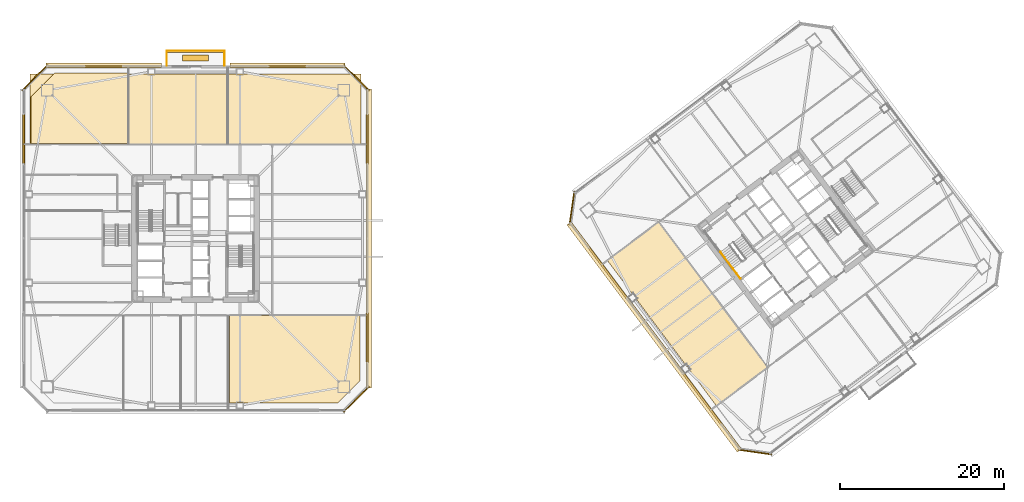
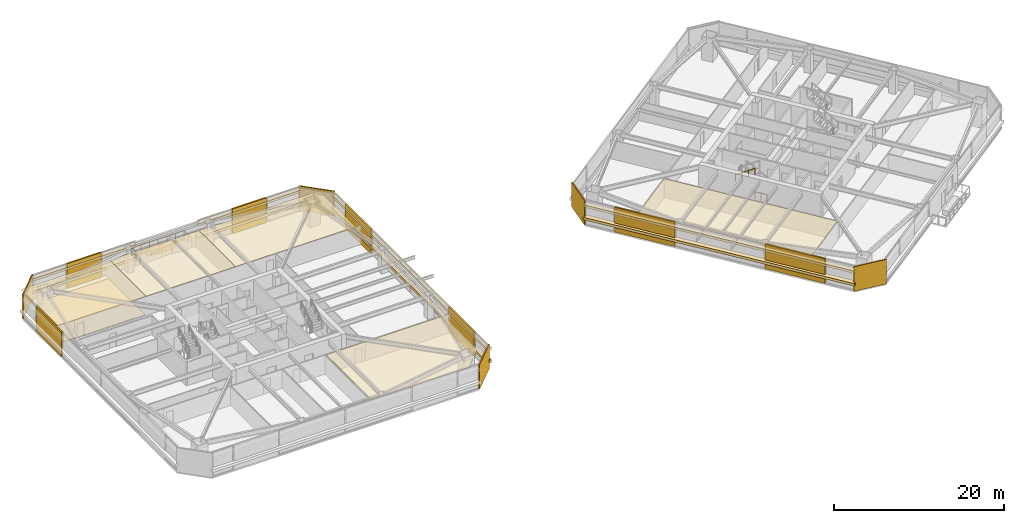
# One storey, part 43 of 47: 28 coverings, 5 railings.
"""IFC4 building model written with IfcOpenShell, lengths in metres."""

from ifc_helpers import new_model, si_unit, direction, frame, origin, origin_2d, place, context, subcontext, project, spatial, polyline, rectangle, outline, extrude, material, layer, layer_set, type_object, element, save


model = new_model("IFC4")

# Units and contexts
model_context = context("Model", 3, precision=1e-05, world=origin(), true_north=direction((0.0, 1.0)))
body_context = subcontext(model_context, "Body", "Model", "MODEL_VIEW")
ifc_project = project(units=[si_unit("LENGTHUNIT", "METRE"), si_unit("AREAUNIT", "SQUARE_METRE"), si_unit("VOLUMEUNIT", "CUBIC_METRE"), si_unit("PLANEANGLEUNIT", "RADIAN"), si_unit("MASSUNIT", "GRAM", prefix="KILO")], contexts=[model_context])

# Site, building, storey
site_placement = place(None, origin())
site = spatial("IfcSite", under=ifc_project, at=site_placement, CompositionType="ELEMENT")
building_placement = place(site_placement, origin())
building = spatial("IfcBuilding", under=site, at=building_placement, Name="Tashvorn Skyway Center", CompositionType="ELEMENT")
storey_placement = place(building_placement, frame((0.0, 0.0, 81.39990234375)))
storey = spatial("IfcBuildingStorey", under=building, at=storey_placement, Name="L21", CompositionType="ELEMENT", Elevation=81.39990234375)

# Coverings
ifc_material_1 = material(Name="Precast concrete C40/50", Category="concrete")
ifc_layer_1 = layer(ifc_material_1, 0.199951171875)
ifc_layer_set_1 = layer_set([ifc_layer_1], Name="Precast concrete C40/50")
covering_type_1 = type_object("IfcCoveringType", Name="COV-BRACE-CLAD", PredefinedType="CLADDING", material=ifc_layer_set_1)
covering_1_placement = place(storey_placement, frame((21.02001953125, 44.1201171875, 0.0), z_axis=(0.0, 0.0, 1.0), x_axis=(0.0, 1.0, 0.0)))
element("IfcCovering", 1, at=covering_1_placement, inside=storey, type_object=covering_type_1, Name="Tower 1 L21 West Unitised Curtain Wall Mega-Brace Cladding Band 2", PredefinedType="CLADDING", context=body_context, shape_type="SweptSolid", body=[
    extrude(rectangle(XDim=6.06005859375, YDim=0.199951171875, at=origin_2d()), origin(), (0.0, 0.0, 1.0), 3.550048828125),
])
for number, where, z_axis, x_axis, name in (
    (2, (30.784912109375, 52.97998046875, 0.0), (0.0, 0.0, 1.0), (1.0, 0.0, 0.0), "Tower 1 L21 North Curtain Wall L Mega-Brace Cladding Band 1"),
    (3, (53.215087890625, 52.97998046875, 0.0), (0.0, 0.0, 1.0), (1.0, 0.0, 0.0), "Tower 1 L21 North Curtain Wall R Mega-Brace Cladding Band 1"),
):
    element("IfcCovering", number, at=place(storey_placement, frame(where, z_axis=z_axis, x_axis=x_axis)), inside=storey, type_object=covering_type_1, Name=name, PredefinedType="CLADDING", context=body_context, shape_type="SweptSolid", body=[
        extrude(rectangle(XDim=4.643310546875, YDim=0.199951171875, at=origin_2d()), origin(), (0.0, 0.0, 1.0), 3.550048828125),
    ])
for number, where, z_axis, x_axis, name in (
    (4, (62.97998046875, 44.1201171875, 0.0), (0.0, 0.0, 1.0), (0.0, -1.0, 0.0), "Tower 1 L21 East Unitised Curtain Wall Mega-Brace Cladding Band 1"),
    (5, (62.97998046875, 19.8798828125, 0.0), (0.0, 0.0, 1.0), (0.0, -1.0, 0.0), "Tower 1 L21 East Unitised Curtain Wall Mega-Brace Cladding Band 2"),
):
    element("IfcCovering", number, at=place(storey_placement, frame(where, z_axis=z_axis, x_axis=x_axis)), inside=storey, type_object=covering_type_1, Name=name, PredefinedType="CLADDING", context=body_context, shape_type="SweptSolid", body=[
        extrude(rectangle(XDim=6.06005859375, YDim=0.199951171875, at=origin_2d()), origin(), (0.0, 0.0, 1.0), 3.550048828125),
    ])
for number, where, z_axis, x_axis, name in (
    (6, (103.85595703125, 12.39208984375, 0.0), (0.0, 0.0, 1.0), (-0.600000004945, 0.799999996291, 0.0), "Tower 2 L21 West Unitised Curtain Wall Mega-Brace Cladding Band 1"),
    (7, (92.3359375, 27.751953125, 0.0), (0.0, 0.0, 1.0), (-0.600000004945, 0.799999996291, 0.0), "Tower 2 L21 West Unitised Curtain Wall Mega-Brace Cladding Band 2"),
):
    element("IfcCovering", number, at=place(storey_placement, frame(where, z_axis=z_axis, x_axis=x_axis)), inside=storey, type_object=covering_type_1, Name=name, PredefinedType="CLADDING", context=body_context, shape_type="SweptSolid", body=[
        extrude(rectangle(XDim=7.679931640625, YDim=0.199951171875, at=origin_2d()), origin(), (0.0, 0.0, 1.0), 3.550048828125),
    ])
ifc_material_2 = material(Name="Mineral-fibre acoustic ceiling tile on suspended grid")
ifc_layer_2 = layer(ifc_material_2, 0.02001953125)
ifc_layer_set_2 = layer_set([ifc_layer_2], Name="Mineral-fibre acoustic ceiling tile on suspended grid")
covering_type_2 = type_object("IfcCoveringType", Name="COV-CEIL-20", PredefinedType="CEILING", material=ifc_layer_set_2)
covering_2_placement = place(storey_placement, frame((0.0, 0.0, 2.68310546875)))
element("IfcCovering", 8, at=covering_2_placement, inside=storey, type_object=covering_type_2, Name="Tower 1 L21 Executive Suite Acoustic Ceiling", PredefinedType="CEILING", context=body_context, shape_type="SweptSolid", body=[
    extrude(outline(polyline([(21.800048828125, 43.52001953125), (33.800048828125, 43.52001953125), (33.800048828125, 52.10009765625), (21.800048828125, 52.10009765625), (21.800048828125, 43.52001953125)])), origin(), (0.0, 0.0, 1.0), 0.02001953125),
])
covering_3_placement = place(storey_placement, frame((0.0, 0.0, 2.68310546875)))
element("IfcCovering", 9, at=covering_3_placement, inside=storey, type_object=covering_type_2, Name="Tower 1 L21 Executive Suite Acoustic Ceiling", PredefinedType="CEILING", context=body_context, shape_type="SweptSolid", body=[
    extrude(outline(polyline([(33.800048828125, 43.52001953125), (45.89990234375, 43.52001953125), (45.89990234375, 52.10009765625), (33.800048828125, 52.10009765625), (33.800048828125, 43.52001953125)])), origin(), (0.0, 0.0, 1.0), 0.02001953125),
])
covering_4_placement = place(storey_placement, frame((0.0, 0.0, 2.68310546875)))
element("IfcCovering", 10, at=covering_4_placement, inside=storey, type_object=covering_type_2, Name="Tower 1 L21 Catering Pantry Acoustic Ceiling", PredefinedType="CEILING", context=body_context, shape_type="SweptSolid", body=[
    extrude(outline(polyline([(45.89990234375, 43.52001953125), (62.199951171875, 43.52001953125), (62.199951171875, 52.10009765625), (45.89990234375, 52.10009765625), (45.89990234375, 43.52001953125)])), origin(), (0.0, 0.0, 1.0), 0.02001953125),
])
covering_5_placement = place(storey_placement, frame((0.0, 0.0, 2.68310546875)))
element("IfcCovering", 11, at=covering_5_placement, inside=storey, type_object=covering_type_2, Name="Tower 1 L21 Security Control Room Acoustic Ceiling", PredefinedType="CEILING", context=body_context, shape_type="SweptSolid", body=[
    extrude(outline(polyline([(46.1201171875, 11.919921875), (46.1201171875, 22.610107421875), (62.080078125, 22.610107421875), (62.080078125, 14.679931640625), (59.320068359375, 11.919921875), (46.1201171875, 11.919921875)])), origin(), (0.0, 0.0, 1.0), 0.02001953125),
])
covering_6_placement = place(storey_placement, frame((0.0, 0.0, 2.68310546875)))
element("IfcCovering", 12, at=covering_6_placement, inside=storey, type_object=covering_type_2, Name="Tower 2 L21 Reading Lounge Acoustic Ceiling", PredefinedType="CEILING", context=body_context, shape_type="SweptSolid", body=[
    extrude(outline(polyline([(105.56201171875, 11.583984375), (111.818115234375, 16.27587890625), (98.51611328125, 34.011962890625), (92.260009765625, 29.320068359375), (105.56201171875, 11.583984375)])), origin(), (0.0, 0.0, 1.0), 0.02001953125),
])
ifc_material_3 = material(Name="Polished Mojave desert-aggregate terrazzo and cover plate")
ifc_layer_3 = layer(ifc_material_3, 0.0400390625)
ifc_layer_set_3 = layer_set([ifc_layer_3], Name="Polished Mojave desert-aggregate terrazzo and cover plate")
covering_type_3 = type_object("IfcCoveringType", Name="COV-FLR-40", PredefinedType="FLOORING", material=ifc_layer_set_3)
covering_7_placement = place(storey_placement, origin())
element("IfcCovering", 13, at=covering_7_placement, inside=storey, type_object=covering_type_3, Name="Tower 1 L21 Executive Suite Finish Flooring", PredefinedType="FLOORING", context=body_context, shape_type="SweptSolid", body=[
    extrude(outline(polyline([(33.719970703125, 43.60009765625), (21.8798828125, 43.60009765625), (21.8798828125, 49.280029296875), (24.800048828125, 52.199951171875), (33.719970703125, 52.199951171875), (33.719970703125, 43.60009765625)])), origin(), (0.0, 0.0, 1.0), 0.0400390625),
])
ifc_material_4 = material(Name="Perforated ceramic-coated bronze aluminium solar screen", Category="aluminium")
ifc_layer_4 = layer(ifc_material_4, 0.85009765625)
ifc_layer_set_4 = layer_set([ifc_layer_4], Name="Perforated ceramic-coated bronze aluminium solar screen")
covering_type_4 = type_object("IfcCoveringType", Name="COV-SOLAR-BAND", PredefinedType="CLADDING", material=ifc_layer_set_4)
for number, where, z_axis, x_axis, name in (
    (14, (30.784912109375, 53.1201171875, 0.919921875), (0.0, 0.0, 1.0), (1.0, 0.0, 0.0), "L21 Perforated Ceramic-Metal Solar Screen Louvre Band North 1"),
    (15, (30.784912109375, 53.1201171875, 2.72021484375), (0.0, 0.0, 1.0), (1.0, 0.0, 0.0), "L21 Perforated Ceramic-Metal Solar Screen Louvre Band North 2"),
    (16, (53.215087890625, 53.1201171875, 0.919921875), (0.0, 0.0, 1.0), (1.0, 0.0, 0.0), "L21 Perforated Ceramic-Metal Solar Screen Louvre Band North 1"),
    (17, (53.215087890625, 53.1201171875, 2.72021484375), (0.0, 0.0, 1.0), (1.0, 0.0, 0.0), "L21 Perforated Ceramic-Metal Solar Screen Louvre Band North 2"),
):
    element("IfcCovering", number, at=place(storey_placement, frame(where, z_axis=z_axis, x_axis=x_axis)), inside=storey, type_object=covering_type_4, Name=name, PredefinedType="CLADDING", context=body_context, shape_type="SweptSolid", body=[
        extrude(rectangle(XDim=14.050048828125, YDim=0.639892578125, at=origin_2d()), origin(), (0.0, 0.0, 1.0), 0.360107421875),
    ])
for number, where, z_axis, x_axis, name in (
    (18, (63.1201171875, 32.0, 0.919921875), (0.0, 0.0, 1.0), (0.0, -1.0, 0.0), "L21 Perforated Ceramic-Metal Solar Screen Louvre Band East 1"),
    (19, (63.1201171875, 32.0, 2.72021484375), (0.0, 0.0, 1.0), (0.0, -1.0, 0.0), "L21 Perforated Ceramic-Metal Solar Screen Louvre Band East 2"),
):
    element("IfcCovering", number, at=place(storey_placement, frame(where, z_axis=z_axis, x_axis=x_axis)), inside=storey, type_object=covering_type_4, Name=name, PredefinedType="CLADDING", context=body_context, shape_type="SweptSolid", body=[
        extrude(rectangle(XDim=36.47998046875, YDim=0.639892578125, at=origin_2d()), origin(), (0.0, 0.0, 1.0), 0.360107421875),
    ])
for number, where, z_axis, x_axis, name in (
    (20, (97.98388671875, 19.988037109375, 0.919921875), (0.0, 0.0, 1.0), (-0.600000004945, 0.799999996291, 0.0), "L21 Perforated Ceramic-Metal Solar Screen Louvre Band West 1"),
    (21, (97.98388671875, 19.988037109375, 2.72021484375), (0.0, 0.0, 1.0), (-0.600000004945, 0.799999996291, 0.0), "L21 Perforated Ceramic-Metal Solar Screen Louvre Band West 2"),
):
    element("IfcCovering", number, at=place(storey_placement, frame(where, z_axis=z_axis, x_axis=x_axis)), inside=storey, type_object=covering_type_4, Name=name, PredefinedType="CLADDING", context=body_context, shape_type="SweptSolid", body=[
        extrude(rectangle(XDim=34.679931640625, YDim=0.639892578125, at=origin_2d()), origin(), (0.0, 0.0, 1.0), 0.360107421875),
    ])
ifc_layer_5 = layer(ifc_material_1, 0.35009765625)
ifc_layer_set_5 = layer_set([ifc_layer_5], Name="Precast concrete C40/50")
covering_type_5 = type_object("IfcCoveringType", Name="COV-STONE-TRIM", PredefinedType="CLADDING", material=ifc_layer_set_5)
covering_8_placement = place(storey_placement, frame((42.0, 54.860107421875, -0.16015625), z_axis=(0.0, 0.0, 1.0), x_axis=(1.0, 0.0, 0.0)))
element("IfcCovering", 22, at=covering_8_placement, inside=storey, type_object=covering_type_5, Name="Tower 1 L21 Spiral Terrace Terracotta Fascia", PredefinedType="CLADDING", context=body_context, shape_type="SweptSolid", body=[
    extrude(rectangle(XDim=7.199951171875, YDim=0.280029296875, at=origin_2d()), origin(), (0.0, 0.0, 1.0), 0.280029296875),
])
covering_9_placement = place(storey_placement, frame((42.0, 54.050048828125, 0.0), z_axis=(0.0, 0.0, 1.0), x_axis=(1.0, 0.0, 0.0)))
element("IfcCovering", 23, at=covering_9_placement, inside=storey, type_object=covering_type_5, Name="Tower 1 L21 Spiral Terrace Planter", PredefinedType="CLADDING", context=body_context, shape_type="SweptSolid", body=[
    extrude(rectangle(XDim=3.199951171875, YDim=0.75, at=origin_2d()), origin(), (0.0, 0.0, 1.0), 0.679931640625),
])
for number, where, z_axis, x_axis, name in (
    (24, (22.3798828125, 51.6201171875, 0.02001953125), (0.0, 0.0, 1.0), (-0.707106781187, -0.707106781187, 0.0), "Tower 1 L21 NW Mojave Limestone Corner Quoin"),
    (25, (61.6201171875, 51.6201171875, 0.02001953125), (0.0, 0.0, 1.0), (0.707106781187, -0.707106781187, 0.0), "Tower 1 L21 NE Mojave Limestone Corner Quoin"),
    (26, (61.6201171875, 12.3798828125, 0.02001953125), (0.0, 0.0, 1.0), (0.707106781187, 0.707106781187, 0.0), "Tower 1 L21 SE Mojave Limestone Corner Quoin"),
):
    element("IfcCovering", number, at=place(storey_placement, frame(where, z_axis=z_axis, x_axis=x_axis)), inside=storey, type_object=covering_type_5, Name=name, PredefinedType="CLADDING", context=body_context, shape_type="SweptSolid", body=[
        extrude(rectangle(XDim=4.402587890625, YDim=0.139892578125, at=origin_2d()), origin(), (0.0, 0.0, 1.0), 3.510009765625),
    ])
for number, where, z_axis, x_axis, name in (
    (27, (110.27587890625, 5.931884765625, 0.02001953125), (0.0, 0.0, 1.0), (-0.989949494535, 0.141421350118, 0.0), "Tower 2 L21 SW Mojave Limestone Corner Quoin"),
    (28, (87.931884765625, 35.72412109375, 0.02001953125), (0.0, 0.0, 1.0), (-0.141421350118, -0.989949494535, 0.0), "Tower 2 L21 NW Mojave Limestone Corner Quoin"),
):
    element("IfcCovering", number, at=place(storey_placement, frame(where, z_axis=z_axis, x_axis=x_axis)), inside=storey, type_object=covering_type_5, Name=name, PredefinedType="CLADDING", context=body_context, shape_type="SweptSolid", body=[
        extrude(rectangle(XDim=4.119873046875, YDim=0.139892578125, at=origin_2d()), origin(), (0.0, 0.0, 1.0), 3.510009765625),
    ])

# Railings
ifc_material_5 = material(Name="Galvanized steel S355", Category="steel")
railing_type_1 = type_object("IfcRailingType", Name="RAIL-GUARD-1120", PredefinedType="GUARDRAIL", material=ifc_material_5)
railing_1_placement = place(storey_placement, frame((38.47998046875, 53.10009765625, 0.0)))
element("IfcRailing", 29, at=railing_1_placement, inside=storey, type_object=railing_type_1, Name="L21 Tower 1 Terrace Guardrail 01", PredefinedType="GUARDRAIL", context=body_context, shape_type="SweptSolid", body=[
    extrude(rectangle(XDim=0.048095703125, YDim=0.048095703125, at=origin_2d()), frame((0.0, 0.0, 1.09619140625), z_axis=(0.0, 1.0, 0.0), x_axis=(-1.0, 0.0, 0.0)), (0.0, 0.0, 1.0), 1.81982421875),
    extrude(rectangle(XDim=0.0419921875, YDim=0.0419921875, at=origin_2d()), origin(), (0.0, 0.0, 1.0), 1.072021484375),
    extrude(rectangle(XDim=0.0419921875, YDim=0.0419921875, at=origin_2d()), frame((0.0, 0.909912109375, 0.0)), (0.0, 0.0, 1.0), 1.072021484375),
    extrude(rectangle(XDim=0.0419921875, YDim=0.0419921875, at=origin_2d()), frame((0.0, 1.81982421875, 0.0)), (0.0, 0.0, 1.0), 1.072021484375),
])
railing_2_placement = place(storey_placement, frame((38.47998046875, 54.919921875, 0.0)))
element("IfcRailing", 30, at=railing_2_placement, inside=storey, type_object=railing_type_1, Name="L21 Tower 1 Terrace Guardrail 02", PredefinedType="GUARDRAIL", context=body_context, shape_type="SweptSolid", body=[
    extrude(rectangle(XDim=0.048095703125, YDim=0.048095703125, at=origin_2d()), frame((0.0, 0.0, 1.09619140625), z_axis=(1.0, 0.0, 0.0), x_axis=(0.0, 1.0, 0.0)), (0.0, 0.0, 1.0), 7.0400390625),
    extrude(rectangle(XDim=0.0419921875, YDim=0.0419921875, at=origin_2d()), origin(), (0.0, 0.0, 1.0), 1.072021484375),
    extrude(rectangle(XDim=0.0419921875, YDim=0.0419921875, at=origin_2d()), frame((1.17333984375, 0.0, 0.0)), (0.0, 0.0, 1.0), 1.072021484375),
    extrude(rectangle(XDim=0.0419921875, YDim=0.0419921875, at=origin_2d()), frame((2.3466796875, 0.0, 0.0)), (0.0, 0.0, 1.0), 1.072021484375),
    extrude(rectangle(XDim=0.0419921875, YDim=0.0419921875, at=origin_2d()), frame((3.52001953125, 0.0, 0.0)), (0.0, 0.0, 1.0), 1.072021484375),
    extrude(rectangle(XDim=0.0419921875, YDim=0.0419921875, at=origin_2d()), frame((4.693359375, 0.0, 0.0)), (0.0, 0.0, 1.0), 1.072021484375),
    extrude(rectangle(XDim=0.0419921875, YDim=0.0419921875, at=origin_2d()), frame((5.86669921875, 0.0, 0.0)), (0.0, 0.0, 1.0), 1.072021484375),
    extrude(rectangle(XDim=0.0419921875, YDim=0.0419921875, at=origin_2d()), frame((7.0400390625, 0.0, 0.0)), (0.0, 0.0, 1.0), 1.072021484375),
])
railing_3_placement = place(storey_placement, frame((45.52001953125, 54.919921875, 0.0)))
element("IfcRailing", 31, at=railing_3_placement, inside=storey, type_object=railing_type_1, Name="L21 Tower 1 Terrace Guardrail 03", PredefinedType="GUARDRAIL", context=body_context, shape_type="SweptSolid", body=[
    extrude(rectangle(XDim=0.048095703125, YDim=0.048095703125, at=origin_2d()), frame((0.0, 0.0, 1.09619140625), z_axis=(0.0, -1.0, 0.0), x_axis=(1.0, 0.0, 0.0)), (0.0, 0.0, 1.0), 1.81982421875),
    extrude(rectangle(XDim=0.0419921875, YDim=0.0419921875, at=origin_2d()), origin(), (0.0, 0.0, 1.0), 1.072021484375),
    extrude(rectangle(XDim=0.0419921875, YDim=0.0419921875, at=origin_2d()), frame((0.0, -0.909912109375, 0.0)), (0.0, 0.0, 1.0), 1.072021484375),
    extrude(rectangle(XDim=0.0419921875, YDim=0.0419921875, at=origin_2d()), frame((0.0, -1.81982421875, 0.0)), (0.0, 0.0, 1.0), 1.072021484375),
])
ifc_material_6 = material(Name="Brushed stainless steel 316", Category="steel")
railing_type_2 = type_object("IfcRailingType", Name="RAIL-HAND-920", PredefinedType="HANDRAIL", material=ifc_material_6)
railing_4_placement = place(storey_placement, frame((106.072021484375, 30.35400390625, 1.95263671875)))
element("IfcRailing", 32, at=railing_4_placement, inside=storey, type_object=railing_type_2, Name="L21 ST-T2-1 stair handrail 2", PredefinedType="HANDRAIL", context=body_context, shape_type="SweptSolid", body=[
    extrude(rectangle(XDim=0.048095703125, YDim=0.048095703125, at=origin_2d()), frame((0.0, 0.0, 0.8759765625), z_axis=(0.506740800098, -0.675708949977, 0.535379469569), x_axis=(0.800023250257, 0.599968998406, 0.0)), (0.0, 0.0, 1.0), 2.983642578125),
    extrude(rectangle(XDim=0.0419921875, YDim=0.0419921875, at=origin_2d()), origin(), (0.0, 0.0, 1.0), 0.851806640625),
    extrude(rectangle(XDim=0.0419921875, YDim=0.0419921875, at=origin_2d()), frame((0.50390625, -0.672119140625, 0.532470703125)), (0.0, 0.0, 1.0), 0.851806640625),
    extrude(rectangle(XDim=0.0419921875, YDim=0.0419921875, at=origin_2d()), frame((1.008056640625, -1.343994140625, 1.06494140625)), (0.0, 0.0, 1.0), 0.851806640625),
    extrude(rectangle(XDim=0.0419921875, YDim=0.0419921875, at=origin_2d()), frame((1.511962890625, -2.01611328125, 1.597412109375)), (0.0, 0.0, 1.0), 0.851806640625),
])
ifc_material_7 = material(Name="Painted galvanized steel S355", Category="steel")
railing_type_3 = type_object("IfcRailingType", Name="RAIL-STGUARD-1100", PredefinedType="GUARDRAIL", material=ifc_material_7)
railing_5_placement = place(storey_placement, frame((108.49609375, 27.1220703125, 0.0)))
element("IfcRailing", 33, at=railing_5_placement, inside=storey, type_object=railing_type_3, Name="L21 ST-T2-1 stair guard 6", PredefinedType="GUARDRAIL", context=body_context, shape_type="SweptSolid", body=[
    extrude(rectangle(XDim=0.048095703125, YDim=0.048095703125, at=origin_2d()), frame((0.0, 0.0, 1.076171875), z_axis=(-0.600102796382, 0.799922892393, 0.0), x_axis=(-0.799922892393, -0.600102796382, 0.0)), (0.0, 0.0, 1.0), 1.52001953125),
    extrude(rectangle(XDim=0.0419921875, YDim=0.0419921875, at=origin_2d()), origin(), (0.0, 0.0, 1.0), 1.052001953125),
    extrude(rectangle(XDim=0.0419921875, YDim=0.0419921875, at=origin_2d()), frame((-0.4560546875, 0.60791015625, 0.0)), (0.0, 0.0, 1.0), 1.052001953125),
    extrude(rectangle(XDim=0.0419921875, YDim=0.0419921875, at=origin_2d()), frame((-0.912109375, 1.2158203125, 0.0)), (0.0, 0.0, 1.0), 1.052001953125),
])

save(model, "model.ifc")
